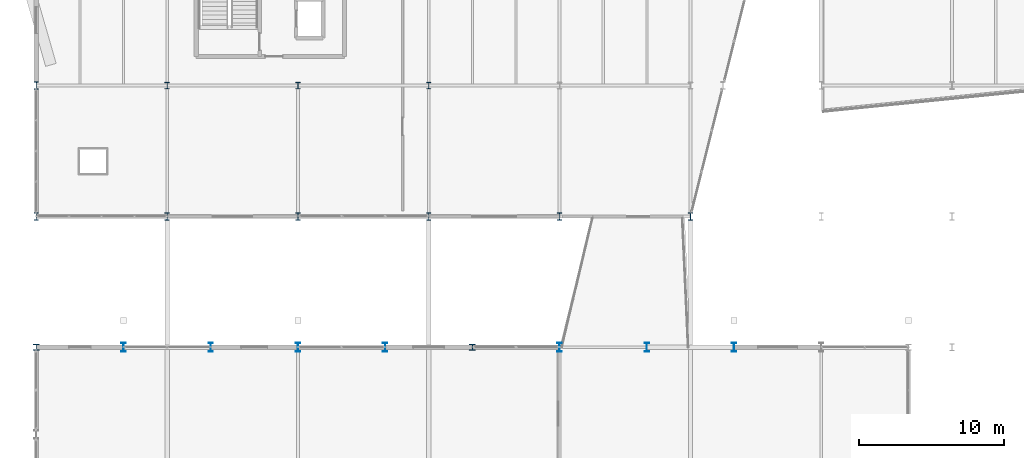
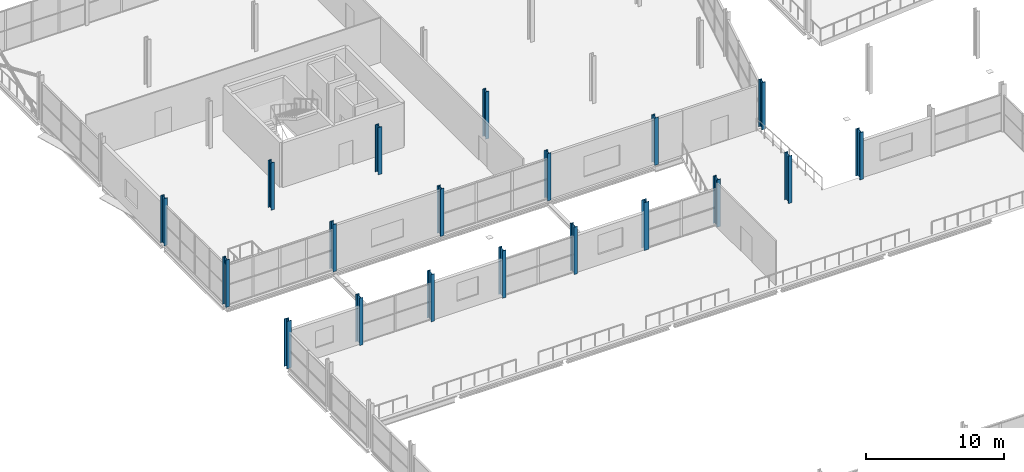
# One storey, part 3 of 135: 19 columns.
"""IFC4 building model written with IfcOpenShell, lengths in metres."""

from ifc_helpers import new_model, si_unit, direction, frame, origin, origin_2d, place, context, subcontext, project, spatial, i_section, extrude, material, material_profile, profile_set, type_object, element, save


model = new_model("IFC4")

# Units and contexts
model_context = context("Model", 3, precision=1e-05, world=origin(), true_north=direction((0.0, 1.0)))
body_context = subcontext(model_context, "Body", "Model", "MODEL_VIEW")
ifc_project = project(units=[si_unit("LENGTHUNIT", "METRE"), si_unit("AREAUNIT", "SQUARE_METRE"), si_unit("VOLUMEUNIT", "CUBIC_METRE"), si_unit("PLANEANGLEUNIT", "RADIAN"), si_unit("MASSUNIT", "GRAM", prefix="KILO")], contexts=[model_context])

# Site, building, storey
site_placement = place(None, origin())
site = spatial("IfcSite", under=ifc_project, at=site_placement, CompositionType="ELEMENT")
building_placement = place(site_placement, origin())
building = spatial("IfcBuilding", under=site, at=building_placement, Name="Deido Ridge Mobility Hub", CompositionType="ELEMENT")
storey_placement = place(building_placement, frame((0.0, 0.0, 4.199951171875)))
storey = spatial("IfcBuildingStorey", under=building, at=storey_placement, Name="L01", CompositionType="ELEMENT", Elevation=4.199951171875)

# Columns
ifc_material = material(Name="Steel S355J2 EN 10025-2", Category="steel")
ifc_material_profile_1 = material_profile(ifc_material, i_section(OverallWidth=0.406005859375, OverallDepth=0.416015625, WebThickness=0.02392578125, FlangeThickness=0.0390625, FilletRadius=0.014892578125, at=origin_2d()), Name="HD 400x382")
ifc_profile_set_1 = profile_set([ifc_material_profile_1], Name="Steel S355J2 EN 10025-2")
column_type_1 = type_object("IfcColumnType", Name="COL-HD400-382", PredefinedType="COLUMN", material=ifc_profile_set_1)
column_1_placement = place(storey_placement, frame((0.0, 36.0, 0.0), z_axis=(0.0, 0.0, 1.0), x_axis=(1.0, 0.0, 0.0)))
element("IfcColumn", 1, at=column_1_placement, inside=storey, type_object=column_type_1, Name="Structural column MC4", PredefinedType="COLUMN", context=body_context, shape_type="SweptSolid", body=[
    extrude(i_section(OverallWidth=0.406005859375, OverallDepth=0.416015625, WebThickness=0.02392578125, FlangeThickness=0.0390625, FilletRadius=0.014892578125, at=origin_2d()), origin(), (0.0, 0.0, 1.0), 4.199951171875),
])
column_2_placement = place(storey_placement, frame((30.0, 36.0, 0.0), z_axis=(0.0, 0.0, 1.0), x_axis=(1.0, 0.0, 0.0)))
element("IfcColumn", 2, at=column_2_placement, inside=storey, type_object=column_type_1, Name="Structural column MC6", PredefinedType="COLUMN", context=body_context, shape_type="SweptSolid", body=[
    extrude(i_section(OverallWidth=0.406005859375, OverallDepth=0.416015625, WebThickness=0.02392578125, FlangeThickness=0.0390625, FilletRadius=0.014892578125, at=origin_2d()), origin(), (0.0, 0.0, 1.0), 4.241943359375),
])
ifc_material_profile_2 = material_profile(ifc_material, i_section(OverallWidth=0.300048828125, OverallDepth=0.449951171875, WebThickness=0.013916015625, FlangeThickness=0.02587890625, FilletRadius=0.027099609375, at=origin_2d()), Name="HEB 450")
ifc_profile_set_2 = profile_set([ifc_material_profile_2], Name="Steel S355J2 EN 10025-2")
column_type_2 = type_object("IfcColumnType", Name="COL-HEB450", PredefinedType="COLUMN", material=ifc_profile_set_2)
for number, where, z_axis, x_axis, name in (
    (3, (9.0, 54.0, 0.0), (0.0, 0.0, 1.0), (1.0, 0.0, 0.0), "Structural column C6"),
    (4, (18.0, 54.0, 0.0), (0.0, 0.0, 1.0), (1.0, 0.0, 0.0), "Structural column C6"),
    (5, (27.0, 54.0, 0.0), (0.0, 0.0, 1.0), (1.0, 0.0, 0.0), "Structural column C6"),
):
    element("IfcColumn", number, at=place(storey_placement, frame(where, z_axis=z_axis, x_axis=x_axis)), inside=storey, type_object=column_type_2, Name=name, PredefinedType="COLUMN", context=body_context, shape_type="SweptSolid", body=[
        extrude(i_section(OverallWidth=0.300048828125, OverallDepth=0.449951171875, WebThickness=0.013916015625, FlangeThickness=0.02587890625, FilletRadius=0.027099609375, at=origin_2d()), origin(), (0.0, 0.0, 1.0), 4.199951171875),
    ])
ifc_material_profile_3 = material_profile(ifc_material, i_section(OverallWidth=0.300048828125, OverallDepth=0.5, WebThickness=0.014404296875, FlangeThickness=0.028076171875, FilletRadius=0.027099609375, at=origin_2d()), Name="HEB 500")
ifc_profile_set_3 = profile_set([ifc_material_profile_3], Name="Steel S355J2 EN 10025-2")
column_type_3 = type_object("IfcColumnType", Name="COL-HEB500", PredefinedType="COLUMN", material=ifc_profile_set_3)
for number, where, z_axis, x_axis, name in (
    (6, (0.0, 45.0, 0.0), (0.0, 0.0, 1.0), (1.0, 0.0, 0.0), "Structural column C5"),
    (7, (9.0, 45.0, 0.0), (0.0, 0.0, 1.0), (1.0, 0.0, 0.0), "Structural column C5"),
    (8, (18.0, 45.0, 0.0), (0.0, 0.0, 1.0), (1.0, 0.0, 0.0), "Structural column C5"),
    (9, (27.0, 45.0, 0.0), (0.0, 0.0, 1.0), (1.0, 0.0, 0.0), "Structural column C5"),
    (10, (36.0, 45.0, 0.0), (0.0, 0.0, 1.0), (1.0, 0.0, 0.0), "Structural column C5"),
    (11, (45.0, 45.0, 0.0), (0.0, 0.0, 1.0), (1.0, 0.0, 0.0), "Structural column C5"),
    (12, (0.0, 54.0, 0.0), (0.0, 0.0, 1.0), (1.0, 0.0, 0.0), "Structural column C5"),
):
    element("IfcColumn", number, at=place(storey_placement, frame(where, z_axis=z_axis, x_axis=x_axis)), inside=storey, type_object=column_type_3, Name=name, PredefinedType="COLUMN", context=body_context, shape_type="SweptSolid", body=[
        extrude(i_section(OverallWidth=0.300048828125, OverallDepth=0.5, WebThickness=0.014404296875, FlangeThickness=0.028076171875, FilletRadius=0.027099609375, at=origin_2d()), origin(), (0.0, 0.0, 1.0), 4.199951171875),
    ])
ifc_material_profile_4 = material_profile(ifc_material, i_section(OverallWidth=0.300048828125, OverallDepth=0.60009765625, WebThickness=0.015380859375, FlangeThickness=0.030029296875, FilletRadius=0.027099609375, at=origin_2d()), Name="HEB 600")
ifc_profile_set_4 = profile_set([ifc_material_profile_4], Name="Steel S355J2 EN 10025-2")
column_type_4 = type_object("IfcColumnType", Name="COL-HEB600", PredefinedType="COLUMN", material=ifc_profile_set_4)
for number, where, z_axis, x_axis, name in (
    (13, (6.0, 36.0, 0.0), (0.0, 0.0, 1.0), (1.0, 0.0, 0.0), "Structural column C4"),
    (14, (12.0, 36.0, 0.0), (0.0, 0.0, 1.0), (1.0, 0.0, 0.0), "Structural column C4"),
    (15, (18.0, 36.0, 0.0), (0.0, 0.0, 1.0), (1.0, 0.0, 0.0), "Structural column C4"),
    (16, (24.0, 36.0, 0.0), (0.0, 0.0, 1.0), (1.0, 0.0, 0.0), "Structural column C4"),
    (17, (36.0, 36.0, 0.0), (0.0, 0.0, 1.0), (1.0, 0.0, 0.0), "Structural column C4"),
    (18, (42.0, 36.0, 0.0), (0.0, 0.0, 1.0), (1.0, 0.0, 0.0), "Structural column C4"),
    (19, (48.0, 36.0, 0.0), (0.0, 0.0, 1.0), (1.0, 0.0, 0.0), "Structural column C4"),
):
    element("IfcColumn", number, at=place(storey_placement, frame(where, z_axis=z_axis, x_axis=x_axis)), inside=storey, type_object=column_type_4, Name=name, PredefinedType="COLUMN", context=body_context, shape_type="SweptSolid", body=[
        extrude(i_section(OverallWidth=0.300048828125, OverallDepth=0.60009765625, WebThickness=0.015380859375, FlangeThickness=0.030029296875, FilletRadius=0.027099609375, at=origin_2d()), origin(), (0.0, 0.0, 1.0), 4.199951171875),
    ])

save(model, "model.ifc")
